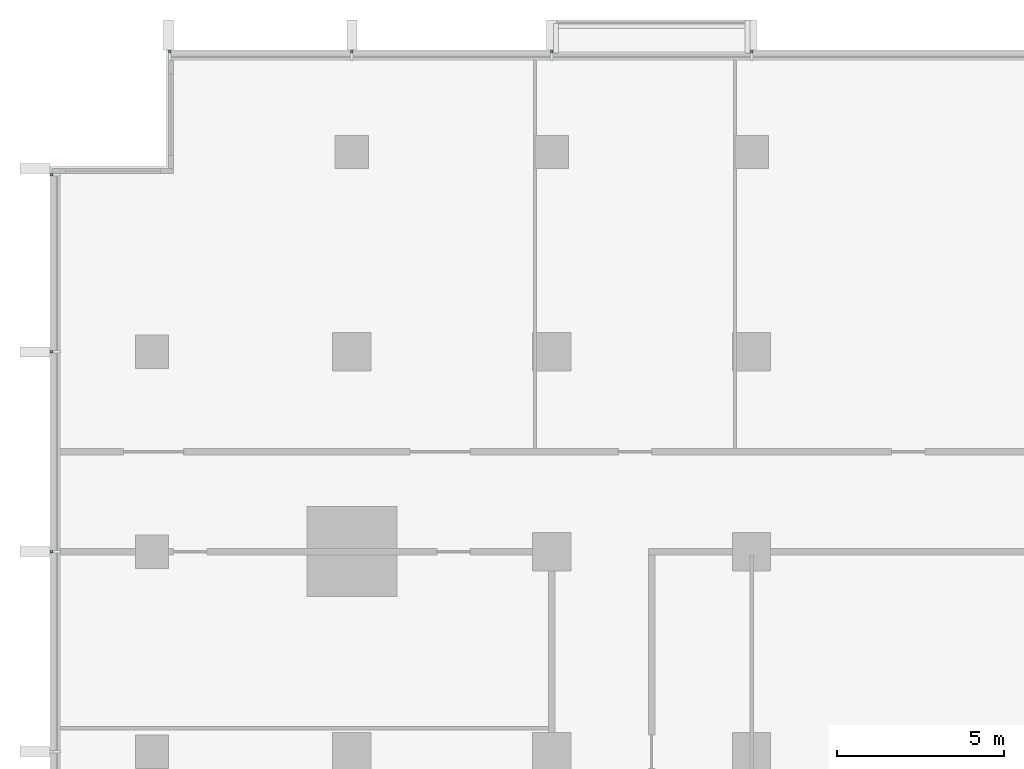
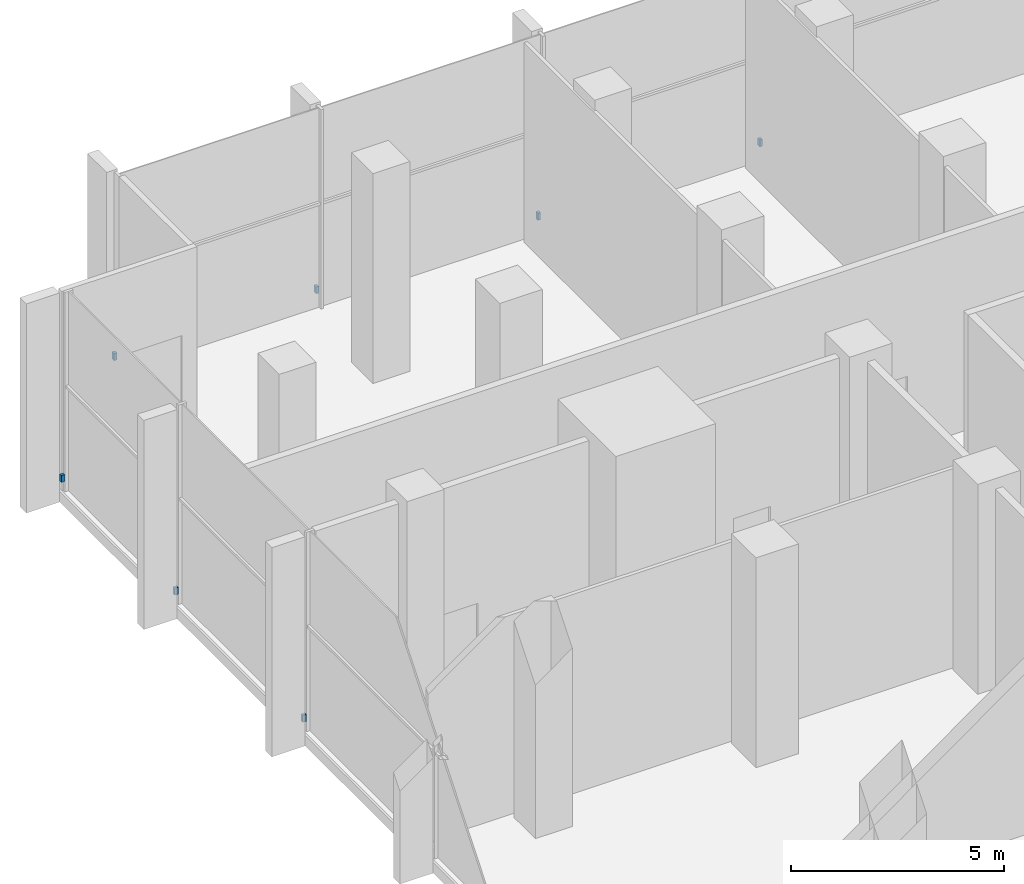
# One storey, part 13 of 16: 7 discrete accessories.
"""IFC4 building model written with IfcOpenShell, lengths in metres."""

from ifc_helpers import new_model, si_unit, direction, frame, origin, origin_2d, place, context, subcontext, project, spatial, rectangle, extrude, material, type_object, element, save


model = new_model("IFC4")

# Units and contexts
model_context = context("Model", 3, precision=1e-05, world=origin(), true_north=direction((0.0, 1.0)))
body_context = subcontext(model_context, "Body", "Model", "MODEL_VIEW")
ifc_project = project(units=[si_unit("LENGTHUNIT", "METRE"), si_unit("AREAUNIT", "SQUARE_METRE"), si_unit("VOLUMEUNIT", "CUBIC_METRE"), si_unit("PLANEANGLEUNIT", "RADIAN"), si_unit("MASSUNIT", "GRAM", prefix="KILO")], contexts=[model_context])

# Site, building, storey
site_placement = place(None, origin())
site = spatial("IfcSite", under=ifc_project, at=site_placement, CompositionType="ELEMENT")
building_placement = place(site_placement, origin())
building = spatial("IfcBuilding", under=site, at=building_placement, Name="Finial Court Residences", CompositionType="ELEMENT")
storey_placement = place(building_placement, frame((0.0, 0.0, 127.89990234375)))
storey = spatial("IfcBuildingStorey", under=building, at=storey_placement, Name="L32", CompositionType="ELEMENT", Elevation=127.89990234375)

# Discrete accessories
ifc_material = material(Name="Stainless steel 316", Category="steel")
discrete_accessory_type = type_object("IfcDiscreteAccessoryType", Name="Fin bracket, stainless steel 75 x 98 x 200", PredefinedType="BRACKET", material=ifc_material)
for number, where, z_axis, x_axis, name in (
    (1, (-21.96240234375, 22.51123046875, 0.30029296875), (0.0, 0.0, 1.0), (1.0, 0.0, 0.0), "E-L32-FIN-N1-BRK"),
    (2, (-16.5, 22.51123046875, 0.30029296875), (0.0, 0.0, 1.0), (1.0, 0.0, 0.0), "E-L32-FIN-N2-BRK"),
    (3, (-10.5, 22.51123046875, 0.30029296875), (0.0, 0.0, 1.0), (1.0, 0.0, 0.0), "E-L32-FIN-N3-BRK"),
    (4, (-4.5, 22.51123046875, 0.30029296875), (0.0, 0.0, 1.0), (1.0, 0.0, 0.0), "E-L32-FIN-N4-BRK"),
):
    element("IfcDiscreteAccessory", number, at=place(storey_placement, frame(where, z_axis=z_axis, x_axis=x_axis)), inside=storey, type_object=discrete_accessory_type, Name=name, PredefinedType="BRACKET", context=body_context, shape_type="SweptSolid", body=[
        extrude(rectangle(XDim=0.074951171875, YDim=0.097412109375, at=origin_2d()), origin(), (0.0, 0.0, 1.0), 0.199951171875),
    ])
for number, where, z_axis, x_axis, name in (
    (5, (-25.51123046875, 7.5, 0.30029296875), (0.0, 0.0, 1.0), (1.0, 0.0, 0.0), "E-L32-FIN-W30-BRK"),
    (6, (-25.51123046875, 13.5, 0.30029296875), (0.0, 0.0, 1.0), (1.0, 0.0, 0.0), "E-L32-FIN-W31-BRK"),
    (7, (-25.51123046875, 18.8125, 0.30029296875), (0.0, 0.0, 1.0), (1.0, 0.0, 0.0), "E-L32-FIN-W32-BRK"),
):
    element("IfcDiscreteAccessory", number, at=place(storey_placement, frame(where, z_axis=z_axis, x_axis=x_axis)), inside=storey, type_object=discrete_accessory_type, Name=name, PredefinedType="BRACKET", context=body_context, shape_type="SweptSolid", body=[
        extrude(rectangle(XDim=0.097412109375, YDim=0.074951171875, at=origin_2d()), origin(), (0.0, 0.0, 1.0), 0.199951171875),
    ])

save(model, "model.ifc")
